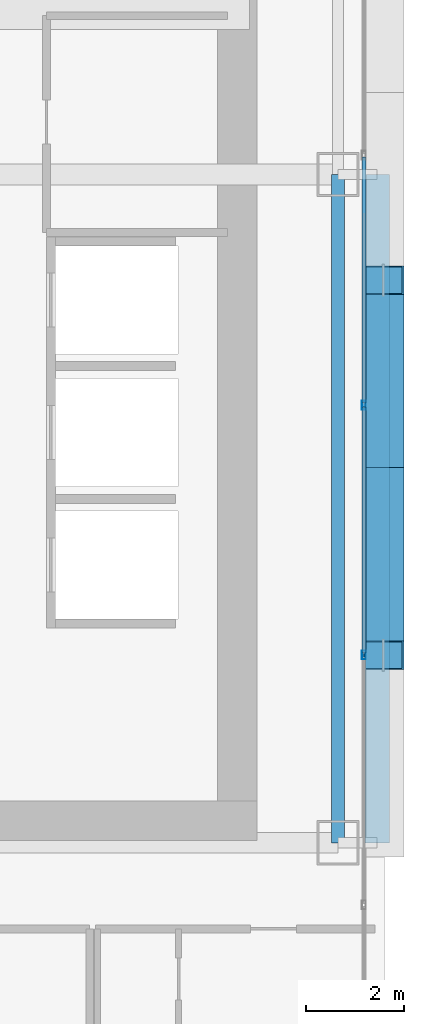
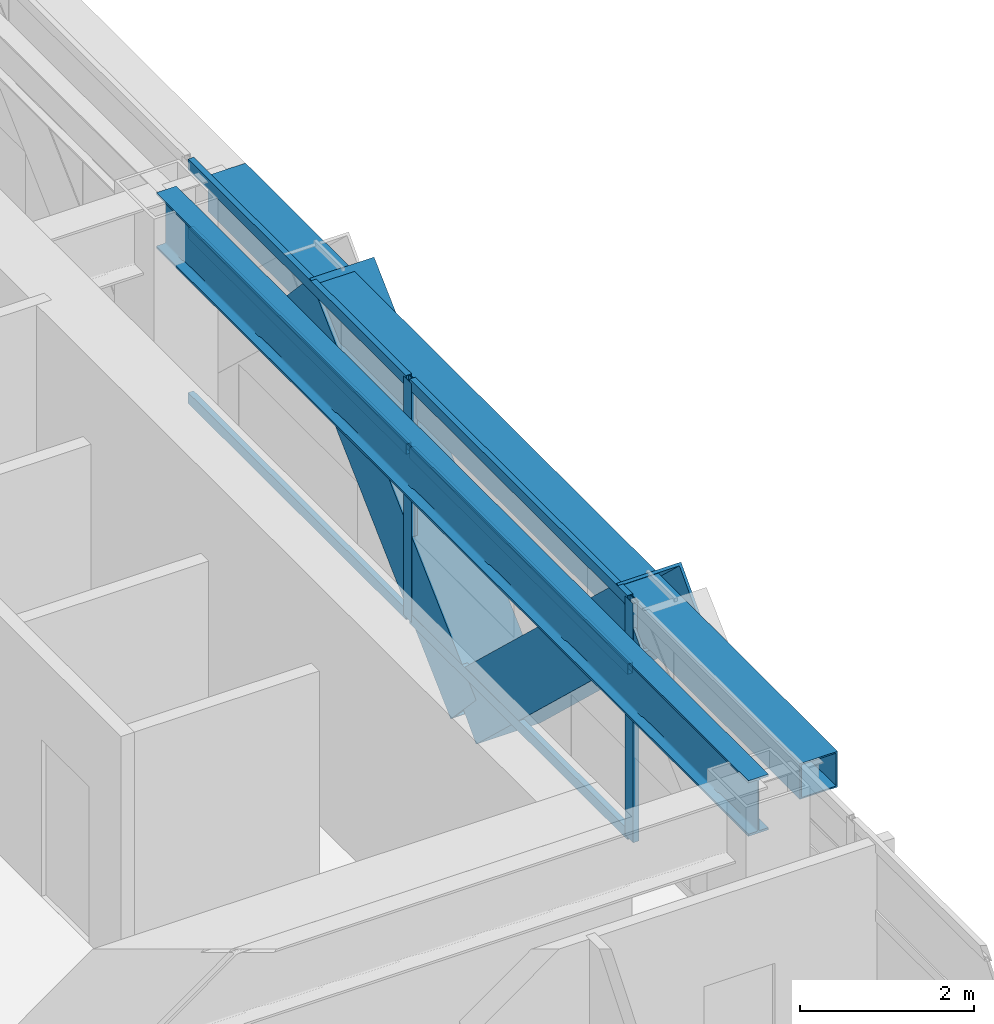
# One storey, part 13 of 35: 10 members, 2 beams, 1 element without a shape of its own.
"""IFC4 building model written with IfcOpenShell, lengths in metres."""

from ifc_helpers import new_model, si_unit, direction, frame, origin, origin_2d, place, context, subcontext, project, spatial, hollow_rectangle, i_section, extrude, source, transform, mapped, material, layer, layer_set, material_profile, profile_set, type_object, element, aggregate, save


model = new_model("IFC4")

# Units and contexts
model_context = context("Model", 3, precision=1e-05, world=origin(), true_north=direction((0.0, 1.0)))
body_context = subcontext(model_context, "Body", "Model", "MODEL_VIEW")
ifc_project = project(units=[si_unit("LENGTHUNIT", "METRE"), si_unit("AREAUNIT", "SQUARE_METRE"), si_unit("VOLUMEUNIT", "CUBIC_METRE"), si_unit("PLANEANGLEUNIT", "RADIAN"), si_unit("MASSUNIT", "GRAM", prefix="KILO")], contexts=[model_context])

# Site, building, storey
site_placement = place(None, origin())
site = spatial("IfcSite", under=ifc_project, at=site_placement, CompositionType="ELEMENT")
building_placement = place(site_placement, origin())
building = spatial("IfcBuilding", under=site, at=building_placement, Name="Ocotamira Hotel", CompositionType="ELEMENT")
storey_placement = place(building_placement, frame((0.0, 0.0, 78.0)))
storey = spatial("IfcBuildingStorey", under=building, at=storey_placement, Name="L19", CompositionType="ELEMENT", Elevation=78.0)

# Beams
ifc_material_1 = material(Name="Steel ASTM A992 Grade 50", Category="steel")
ifc_material_profile_1 = material_profile(ifc_material_1, i_section(OverallWidth=0.26611328125, OverallDepth=0.779052734375, WebThickness=0.0166015625, FlangeThickness=0.030029296875, FilletRadius=0.01806640625, at=origin_2d()), Name="W30X148")
ifc_profile_set_1 = profile_set([ifc_material_profile_1], Name="Steel ASTM A992 Grade 50")
beam_type_1 = type_object("IfcBeamType", Name="BM-GIRD-W30X148", PredefinedType="BEAM", material=ifc_profile_set_1)
shared_shape_1 = source(origin(), body_context, "Body", "SweptSolid", [
    extrude(i_section(OverallWidth=0.26611328125, OverallDepth=0.779052734375, WebThickness=0.0166015625, FlangeThickness=0.030029296875, FilletRadius=0.01806640625, at=origin_2d()), origin(), (0.0, 0.0, 1.0), 13.599853515625),
])
beam_1_placement = place(storey_placement, frame((55.050048828125, 14.550048828125, 2.96044921875), z_axis=(0.0, 1.0, 0.0), x_axis=(-1.0, 0.0, 0.0)))
element("IfcBeam", 1, at=beam_1_placement, inside=storey, type_object=beam_type_1, Name="L19 Beam X55.05 Y14.55-28.15", PredefinedType="BEAM", context=body_context, shape_type="MappedRepresentation", body=[
    mapped(shared_shape_1, transform((0.0, 0.0, 0.0), scale=1.0)),
])
ifc_material_2 = material(Name="Steel ASTM A500 Grade C", Category="steel")
ifc_material_profile_2 = material_profile(ifc_material_2, hollow_rectangle(XDim=0.5, YDim=0.5, WallThickness=0.02001953125, at=origin_2d()), Name="HSS500X500X20")
ifc_profile_set_2 = profile_set([ifc_material_profile_2], Name="Steel ASTM A500 Grade C")
beam_type_2 = type_object("IfcBeamType", Name="BM-SPAN-HSS500", PredefinedType="USERDEFINED", material=ifc_profile_set_2)
shared_shape_2 = source(origin(), body_context, "Body", "SweptSolid", [
    extrude(hollow_rectangle(XDim=0.5, YDim=0.5, WallThickness=0.02001953125, at=origin_2d()), origin(), (0.0, 0.0, 1.0), 13.599853515625),
])
beam_2_placement = place(storey_placement, frame((55.85009765625, 14.550048828125, 3.10009765625), z_axis=(0.0, 1.0, 0.0), x_axis=(-1.0, 0.0, 0.0)))
element("IfcBeam", 2, at=beam_2_placement, inside=storey, type_object=beam_type_2, Name="L19 Edge Spandrel E Y14.55-28.15", ObjectType="SPANDREL", PredefinedType="USERDEFINED", context=body_context, shape_type="MappedRepresentation", body=[
    mapped(shared_shape_2, transform((0.0, 0.0, 0.0), scale=1.0)),
])

# Members
ifc_material_3 = material(Name="Pale-metal coated steel ASTM A913 Grade 65", Category="steel")
ifc_material_profile_3 = material_profile(ifc_material_3, hollow_rectangle(XDim=0.85009765625, YDim=0.85009765625, WallThickness=0.035888671875, at=origin_2d()), Name="BOX850X850X36")
ifc_profile_set_3 = profile_set([ifc_material_profile_3], Name="Pale-metal coated steel ASTM A913 Grade 65")
member_type_1 = type_object("IfcMemberType", Name="MEM-EXO-BOX850", PredefinedType="BRACE", material=ifc_profile_set_3)
shared_shape_3 = source(origin(), body_context, "Body", "SweptSolid", [
    extrude(hollow_rectangle(XDim=0.85009765625, YDim=0.85009765625, WallThickness=0.035888671875, at=origin_2d()), origin(), (0.0, 0.0, 1.0), 5.24658203125),
])
for number, where, z_axis, x_axis, name in (
    (3, (55.969970703125, 22.183349609375, -0.5), (0.0, -0.727442733726, 0.686168397078), (1.0, 0.0, 0.0), "L19 Exoskeleton Diagrid E0.2"),
    (4, (55.969970703125, 22.183349609375, -0.5), (0.0, 0.727442733726, 0.686168397078), (-1.0, 0.0, 0.0), "L19 Exoskeleton Diagrid E1.1"),
):
    element("IfcMember", number, at=place(storey_placement, frame(where, z_axis=z_axis, x_axis=x_axis)), inside=storey, type_object=member_type_1, Name=name, PredefinedType="BRACE", context=body_context, shape_type="MappedRepresentation", body=[
        mapped(shared_shape_3, transform((0.0, 0.0, 0.0), scale=1.0)),
    ])

# Curtain wall, members
ifc_material_4 = material(Name="Anodised pale-metal aluminium and solar glass", Category="aluminium")
ifc_layer = layer(ifc_material_4, 0.179931640625)
ifc_layer_set = layer_set([ifc_layer], Name="Anodised pale-metal aluminium and solar glass")
curtain_wall_type = type_object("IfcCurtainWallType", Name="CW-SYS2-Z1", PredefinedType="NOTDEFINED", material=ifc_layer_set)
curtain_wall_placement = place(storey_placement, origin())
curtain_wall = element("IfcCurtainWall", 5, at=curtain_wall_placement, inside=storey, type_object=curtain_wall_type, Name="L19 Curtain Wall CW-2 CW-L19-E", PredefinedType="NOTDEFINED")
ifc_material_5 = material(Name="Anodised pale-metal aluminium 6063-T6", Category="aluminium")
ifc_material_profile_4 = material_profile(ifc_material_5, hollow_rectangle(XDim=0.074951171875, YDim=0.14990234375, WallThickness=0.006103515625, at=origin_2d()), Name="HSS150X75X6")
ifc_profile_set_4 = profile_set([ifc_material_profile_4], Name="Anodised pale-metal aluminium 6063-T6")
member_type_2 = type_object("IfcMemberType", Name="CWT-150X75", PredefinedType="USERDEFINED", material=ifc_profile_set_4)
shared_shape_4 = source(origin(), body_context, "Body", "SweptSolid", [
    extrude(hollow_rectangle(XDim=0.074951171875, YDim=0.14990234375, WallThickness=0.006103515625, at=origin_2d()), origin(), (0.0, 0.0, 1.0), 5.005859375),
])
member_1_placement = place(storey_placement, frame((55.580078125, 18.411376953125, 0.03759765625), z_axis=(0.0, 1.0, 0.0), x_axis=(-1.0, 0.0, 0.0)))
member_1 = element("IfcMember", 6, at=member_1_placement, type_object=member_type_2, Name="CW-2 transom 3.1", ObjectType="TRANSOM", PredefinedType="USERDEFINED", context=body_context, shape_type="MappedRepresentation", body=[
    mapped(shared_shape_4, transform((0.0, 0.0, 0.0), scale=1.0)),
])
member_2_placement = place(storey_placement, frame((55.580078125, 18.411376953125, 2.35009765625), z_axis=(0.0, 1.0, 0.0), x_axis=(-1.0, 0.0, 0.0)))
member_2 = element("IfcMember", 7, at=member_2_placement, type_object=member_type_2, Name="CW-2 transom 3.2", ObjectType="TRANSOM", PredefinedType="USERDEFINED", context=body_context, shape_type="MappedRepresentation", body=[
    mapped(shared_shape_4, transform((0.0, 0.0, 0.0), scale=1.0)),
])
member_3_placement = place(storey_placement, frame((55.580078125, 18.411376953125, 3.3125), z_axis=(0.0, 1.0, 0.0), x_axis=(-1.0, 0.0, 0.0)))
member_3 = element("IfcMember", 8, at=member_3_placement, type_object=member_type_2, Name="CW-2 transom 3.3", ObjectType="TRANSOM", PredefinedType="USERDEFINED", context=body_context, shape_type="MappedRepresentation", body=[
    mapped(shared_shape_4, transform((0.0, 0.0, 0.0), scale=1.0)),
])
member_4_placement = place(storey_placement, frame((55.580078125, 23.4970703125, 0.03759765625), z_axis=(0.0, 1.0, 0.0), x_axis=(-1.0, 0.0, 0.0)))
member_4 = element("IfcMember", 9, at=member_4_placement, type_object=member_type_2, Name="CW-2 transom 4.1", ObjectType="TRANSOM", PredefinedType="USERDEFINED", context=body_context, shape_type="MappedRepresentation", body=[
    mapped(shared_shape_4, transform((0.0, 0.0, 0.0), scale=1.0)),
])
member_5_placement = place(storey_placement, frame((55.580078125, 23.4970703125, 2.35009765625), z_axis=(0.0, 1.0, 0.0), x_axis=(-1.0, 0.0, 0.0)))
member_5 = element("IfcMember", 10, at=member_5_placement, type_object=member_type_2, Name="CW-2 transom 4.2", ObjectType="TRANSOM", PredefinedType="USERDEFINED", context=body_context, shape_type="MappedRepresentation", body=[
    mapped(shared_shape_4, transform((0.0, 0.0, 0.0), scale=1.0)),
])
member_6_placement = place(storey_placement, frame((55.580078125, 23.4970703125, 3.3125), z_axis=(0.0, 1.0, 0.0), x_axis=(-1.0, 0.0, 0.0)))
member_6 = element("IfcMember", 11, at=member_6_placement, type_object=member_type_2, Name="CW-2 transom 4.3", ObjectType="TRANSOM", PredefinedType="USERDEFINED", context=body_context, shape_type="MappedRepresentation", body=[
    mapped(shared_shape_4, transform((0.0, 0.0, 0.0), scale=1.0)),
])
ifc_material_profile_5 = material_profile(ifc_material_5, hollow_rectangle(XDim=0.080078125, YDim=0.179931640625, WallThickness=0.006103515625, at=origin_2d()), Name="HSS180X80X6")
ifc_profile_set_5 = profile_set([ifc_material_profile_5], Name="Anodised pale-metal aluminium 6063-T6")
member_type_3 = type_object("IfcMemberType", Name="CWM-180X75", PredefinedType="MULLION", material=ifc_profile_set_5)
shared_shape_5 = source(origin(), body_context, "Body", "SweptSolid", [
    extrude(hollow_rectangle(XDim=0.080078125, YDim=0.179931640625, WallThickness=0.006103515625, at=origin_2d()), origin(), (0.0, 0.0, 1.0), 3.35009765625),
])
member_7_placement = place(storey_placement, frame((55.580078125, 18.371337890625, 0.0), z_axis=(0.0, 0.0, 1.0), x_axis=(-1.0, 0.0, 0.0)))
member_7 = element("IfcMember", 12, at=member_7_placement, type_object=member_type_3, Name="CW-2 mullion 3", PredefinedType="MULLION", context=body_context, shape_type="MappedRepresentation", body=[
    mapped(shared_shape_5, transform((0.0, 0.0, 0.0), scale=1.0)),
])
member_8_placement = place(storey_placement, frame((55.580078125, 23.45703125, 0.0), z_axis=(0.0, 0.0, 1.0), x_axis=(-1.0, 0.0, 0.0)))
member_8 = element("IfcMember", 13, at=member_8_placement, type_object=member_type_3, Name="CW-2 mullion 4", PredefinedType="MULLION", context=body_context, shape_type="MappedRepresentation", body=[
    mapped(shared_shape_5, transform((0.0, 0.0, 0.0), scale=1.0)),
])
aggregate(curtain_wall, [member_7, member_8, member_1, member_2, member_3, member_4, member_5, member_6])

save(model, "model.ifc")
